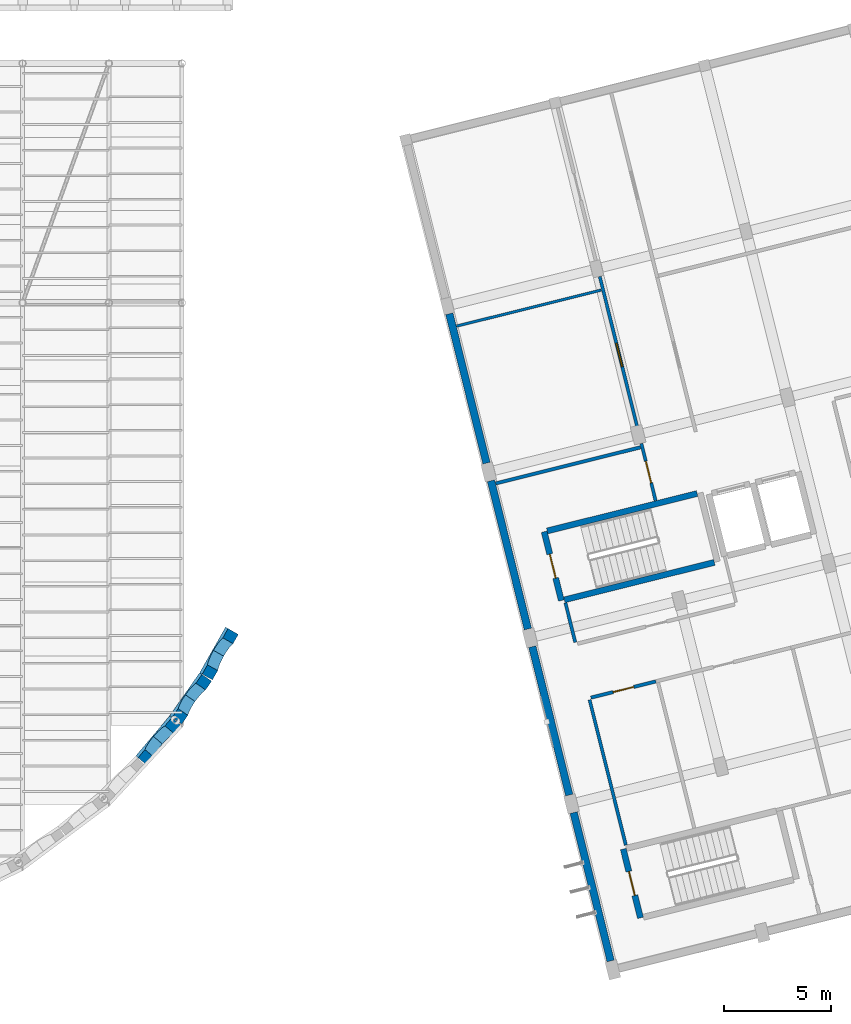
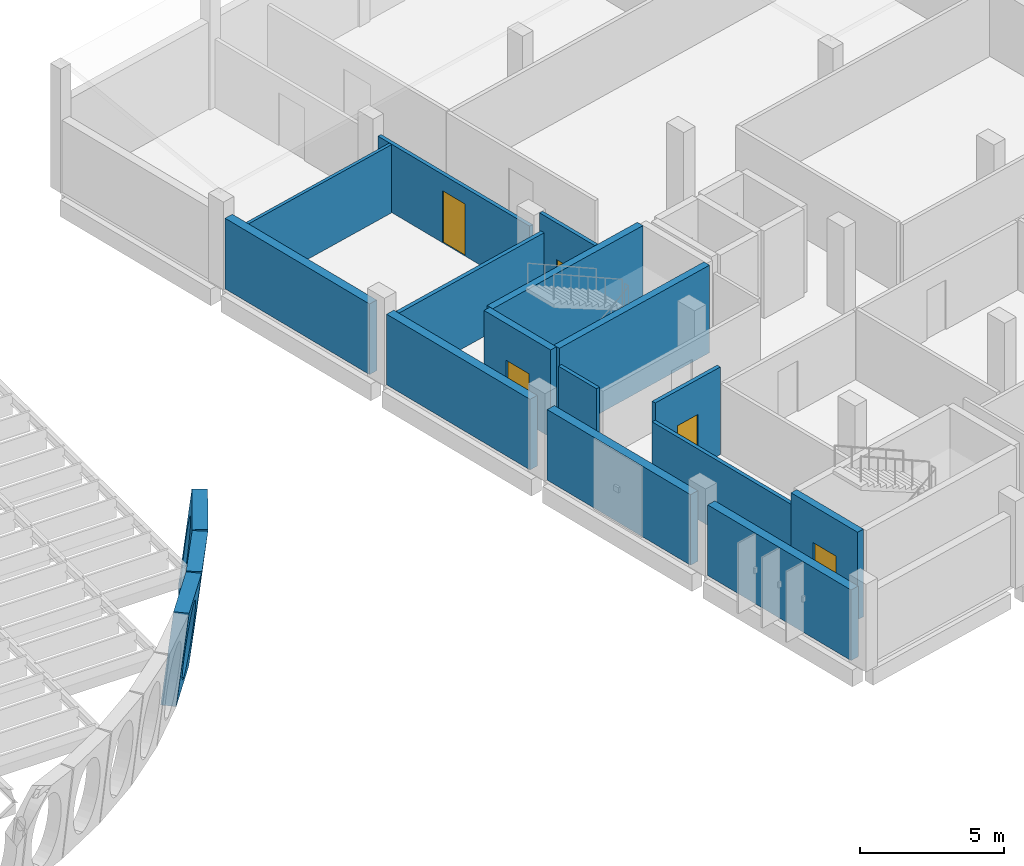
# One storey, part 28 of 47: 18 walls, 5 doors, 8 openings.
"""IFC4 building model written with IfcOpenShell, lengths in metres."""

from ifc_helpers import new_model, si_unit, direction, frame, frame_2d, origin, place, context, subcontext, project, spatial, polyline, rectangle, outline, extrude, material, layer, layer_set, type_object, element, fill, save


model = new_model("IFC4")

# Units and contexts
model_context = context("Model", 3, precision=1e-05, world=origin(), true_north=direction((0.0, 1.0)))
body_context = subcontext(model_context, "Body", "Model", "MODEL_VIEW")
ifc_project = project(units=[si_unit("LENGTHUNIT", "METRE"), si_unit("AREAUNIT", "SQUARE_METRE"), si_unit("VOLUMEUNIT", "CUBIC_METRE"), si_unit("PLANEANGLEUNIT", "RADIAN"), si_unit("MASSUNIT", "GRAM", prefix="KILO")], contexts=[model_context])

# Site, building, storey
site_placement = place(None, origin())
site = spatial("IfcSite", under=ifc_project, at=site_placement, CompositionType="ELEMENT")
building_placement = place(site_placement, origin())
building = spatial("IfcBuilding", under=site, at=building_placement, Name="Mawjan Specialist Oncology Clinic", CompositionType="ELEMENT")
storey_placement = place(building_placement, frame((0.0, 0.0, 9.5)))
storey = spatial("IfcBuildingStorey", under=building, at=storey_placement, Name="L02", CompositionType="ELEMENT", Elevation=9.5)

# Walls
ifc_material_1 = material(Name="Precast concrete C40/50", Category="concrete")
ifc_layer_1 = layer(ifc_material_1, 0.35009765625, Name="Precast concrete C40/50", Category="concrete")
ifc_layer_set_1 = layer_set([ifc_layer_1], Name="Precast concrete C40/50")
wall_type_1 = type_object("IfcWallType", Name="EW-350", PredefinedType="SOLIDWALL", material=ifc_layer_set_1)
for number, where, z_axis, x_axis, name in (
    (1, (125.897216796875, 1.21240234375, 0.0), (0.0, 0.0, 1.0), (-0.241924964772, 0.97029496104, 0.0), "L02 Coral-Limestone Exterior Wall EW-L02-159"),
    (2, (123.9619140625, 8.974853515625, 0.0), (0.0, 0.0, 1.0), (-0.241924964772, 0.97029496104, 0.0), "L02 Coral-Limestone Exterior Wall EW-L02-160"),
):
    element("IfcWall", number, at=place(storey_placement, frame(where, z_axis=z_axis, x_axis=x_axis)), inside=storey, type_object=wall_type_1, Name=name, PredefinedType="SOLIDWALL", context=body_context, shape_type="SweptSolid", body=[
        extrude(rectangle(XDim=7.14990234375, YDim=0.35009765625, at=frame_2d((3.574951171875, 0.0))), origin(), (0.0, 0.0, 1.0), 2.985107421875),
    ])
wall_1_placement = place(storey_placement, frame((122.0263671875, 16.737060546875, 0.0), z_axis=(0.0, 0.0, 1.0), x_axis=(-0.241916949628, 0.970296959432, 0.0)))
element("IfcWall", 3, at=wall_1_placement, inside=storey, type_object=wall_type_1, Name="L02 Coral-Limestone Exterior Wall EW-L02-161", PredefinedType="SOLIDWALL", context=body_context, shape_type="SweptSolid", body=[
    extrude(rectangle(XDim=7.150146484375, YDim=0.35009765625, at=frame_2d((3.5751953125, 0.0))), origin(), (0.0, 0.0, 1.0), 2.985107421875),
])
wall_2_placement = place(storey_placement, frame((120.091064453125, 24.49951171875, 0.0), z_axis=(0.0, 0.0, 1.0), x_axis=(-0.241937193493, 0.970291911955, 0.0)))
element("IfcWall", 4, at=wall_2_placement, inside=storey, type_object=wall_type_1, Name="L02 Coral-Limestone Exterior Wall EW-L02-162", PredefinedType="SOLIDWALL", context=body_context, shape_type="SweptSolid", body=[
    extrude(rectangle(XDim=7.199951171875, YDim=0.35009765625, at=frame_2d((3.60009765625, 0.0))), origin(), (0.0, 0.0, 1.0), 2.985107421875),
])

# Wall, opening
ifc_material_2 = material(Name="Concrete C45/55", Category="concrete")
ifc_layer_2 = layer(ifc_material_2, 0.550048828125, Name="Concrete C45/55", Category="concrete")
ifc_layer_set_2 = layer_set([ifc_layer_2], Name="Concrete C45/55")
wall_type_2 = type_object("IfcWallType", Name="EW-ARC550", PredefinedType="SOLIDWALL", material=ifc_layer_set_2)
wall_3_placement = place(storey_placement, frame((105.476318359375, 12.501708984375, 0.0), z_axis=(0.0, 0.0, 1.0), x_axis=(-0.644476216482, -0.764624356392, 0.0)))
wall_3 = element("IfcWall", 5, at=wall_3_placement, inside=storey, type_object=wall_type_2, Name="Curved Stone-Arc Wall L02 Chord 22", PredefinedType="SOLIDWALL", context=body_context, shape_type="SweptSolid", body=[
    extrude(outline(polyline([(-0.27490234375, 0.0), (0.27490234375, 0.0), (0.73095703125, 4.0), (0.1806640625, 4.0), (-0.27490234375, 0.0)])), frame((0.0, 0.0, 0.0), z_axis=(1.0, 0.0, 0.0), x_axis=(0.0, 1.0, 0.0)), (0.0, 0.0, 1.0), 2.45068359375),
])
opening_1_placement = place(wall_3_placement, origin())
element("IfcOpeningElement", 6, at=opening_1_placement, cuts=wall_3, Name="Elliptical sky opening 1", PredefinedType="OPENING", context=body_context, shape_type="SweptSolid", body=[
    extrude(outline(polyline([(2.065185546875, 2.0), (2.049072265625, 2.315185546875), (2.00146484375, 2.618408203125), (1.923828125, 2.897705078125), (1.8193359375, 3.142578125), (1.69189453125, 3.343505859375), (1.546875, 3.492919921875), (1.38916015625, 3.5849609375), (1.225341796875, 3.615966796875), (1.0615234375, 3.5849609375), (0.90380859375, 3.492919921875), (0.758544921875, 3.343505859375), (0.63134765625, 3.142578125), (0.52685546875, 2.897705078125), (0.44921875, 2.618408203125), (0.4013671875, 2.315185546875), (0.38525390625, 2.0), (0.4013671875, 1.684814453125), (0.44921875, 1.381591796875), (0.52685546875, 1.102294921875), (0.63134765625, 0.857421875), (0.758544921875, 0.656494140625), (0.90380859375, 0.507080078125), (1.0615234375, 0.4150390625), (1.225341796875, 0.384033203125), (1.38916015625, 0.4150390625), (1.546875, 0.507080078125), (1.69189453125, 0.656494140625), (1.8193359375, 0.857421875), (1.923828125, 1.102294921875), (2.00146484375, 1.381591796875), (2.049072265625, 1.684814453125), (2.065185546875, 2.0)])), frame((0.0, 0.750732421875, 0.0), z_axis=(0.0, -1.0, 0.0), x_axis=(1.0, 0.0, 0.0)), (0.0, 0.0, 1.0), 1.0458984375),
])

wall_4_placement = place(storey_placement, frame((106.895751953125, 14.5361328125, 0.0), z_axis=(0.0, 0.0, 1.0), x_axis=(-0.571823138595, -0.820376924448, 0.0)))
wall_4 = element("IfcWall", 7, at=wall_4_placement, inside=storey, type_object=wall_type_2, Name="Curved Stone-Arc Wall L02 Chord 23", PredefinedType="SOLIDWALL", context=body_context, shape_type="SweptSolid", body=[
    extrude(outline(polyline([(-0.27490234375, 0.0), (0.27490234375, 0.0), (0.73095703125, 4.0), (0.1806640625, 4.0), (-0.27490234375, 0.0)])), frame((0.0, 0.0, 0.0), z_axis=(1.0, 0.0, 0.0), x_axis=(0.0, 1.0, 0.0)), (0.0, 0.0, 1.0), 2.45068359375),
])
opening_2_placement = place(wall_4_placement, origin())
element("IfcOpeningElement", 8, at=opening_2_placement, cuts=wall_4, Name="Elliptical sky opening 1", PredefinedType="OPENING", context=body_context, shape_type="SweptSolid", body=[
    extrude(outline(polyline([(2.065185546875, 2.0), (2.049072265625, 2.315185546875), (2.00146484375, 2.618408203125), (1.923828125, 2.897705078125), (1.8193359375, 3.142578125), (1.69189453125, 3.343505859375), (1.546875, 3.492919921875), (1.38916015625, 3.5849609375), (1.225341796875, 3.615966796875), (1.0615234375, 3.5849609375), (0.90380859375, 3.492919921875), (0.758544921875, 3.343505859375), (0.63134765625, 3.142578125), (0.52685546875, 2.897705078125), (0.44921875, 2.618408203125), (0.4013671875, 2.315185546875), (0.38525390625, 2.0), (0.4013671875, 1.684814453125), (0.44921875, 1.381591796875), (0.52685546875, 1.102294921875), (0.63134765625, 0.857421875), (0.758544921875, 0.656494140625), (0.90380859375, 0.507080078125), (1.0615234375, 0.4150390625), (1.225341796875, 0.384033203125), (1.38916015625, 0.4150390625), (1.546875, 0.507080078125), (1.69189453125, 0.656494140625), (1.8193359375, 0.857421875), (1.923828125, 1.102294921875), (2.00146484375, 1.381591796875), (2.049072265625, 1.684814453125), (2.065185546875, 2.0)])), frame((0.0, 0.750732421875, 0.0), z_axis=(0.0, -1.0, 0.0), x_axis=(1.0, 0.0, 0.0)), (0.0, 0.0, 1.0), 1.0458984375),
])

wall_5_placement = place(storey_placement, frame((108.123291015625, 16.69189453125, 0.0), z_axis=(0.0, 0.0, 1.0), x_axis=(-0.494314032963, -0.869283404199, 0.0)))
wall_5 = element("IfcWall", 9, at=wall_5_placement, inside=storey, type_object=wall_type_2, Name="Curved Stone-Arc Wall L02 Chord 24", PredefinedType="SOLIDWALL", context=body_context, shape_type="SweptSolid", body=[
    extrude(outline(polyline([(-0.27490234375, 0.0), (0.27490234375, 0.0), (0.73095703125, 4.0), (0.1806640625, 4.0), (-0.27490234375, 0.0)])), frame((0.0, 0.0, 0.0), z_axis=(1.0, 0.0, 0.0), x_axis=(0.0, 1.0, 0.0)), (0.0, 0.0, 1.0), 2.45068359375),
])
opening_3_placement = place(wall_5_placement, origin())
element("IfcOpeningElement", 10, at=opening_3_placement, cuts=wall_5, Name="Elliptical sky opening 1", PredefinedType="OPENING", context=body_context, shape_type="SweptSolid", body=[
    extrude(outline(polyline([(2.065185546875, 2.0), (2.049072265625, 2.315185546875), (2.00146484375, 2.618408203125), (1.923828125, 2.897705078125), (1.8193359375, 3.142578125), (1.69189453125, 3.343505859375), (1.546875, 3.492919921875), (1.38916015625, 3.5849609375), (1.225341796875, 3.615966796875), (1.0615234375, 3.5849609375), (0.90380859375, 3.492919921875), (0.758544921875, 3.343505859375), (0.63134765625, 3.142578125), (0.52685546875, 2.897705078125), (0.44921875, 2.618408203125), (0.4013671875, 2.315185546875), (0.38525390625, 2.0), (0.4013671875, 1.684814453125), (0.44921875, 1.381591796875), (0.52685546875, 1.102294921875), (0.63134765625, 0.857421875), (0.758544921875, 0.656494140625), (0.90380859375, 0.507080078125), (1.0615234375, 0.4150390625), (1.225341796875, 0.384033203125), (1.38916015625, 0.4150390625), (1.546875, 0.507080078125), (1.69189453125, 0.656494140625), (1.8193359375, 0.857421875), (1.923828125, 1.102294921875), (2.00146484375, 1.381591796875), (2.049072265625, 1.684814453125), (2.065185546875, 2.0)])), frame((0.0, 0.750732421875, 0.0), z_axis=(0.0, -1.0, 0.0), x_axis=(1.0, 0.0, 0.0)), (0.0, 0.0, 1.0), 1.0458984375),
])

# Walls
ifc_material_3 = material(Name="Concrete C45/55", Category="concrete")
ifc_layer_3 = layer(ifc_material_3, 0.280029296875, Name="Concrete C45/55", Category="concrete")
ifc_layer_set_3 = layer_set([ifc_layer_3], Name="Concrete C45/55")
wall_type_3 = type_object("IfcWallType", Name="SW-300", PredefinedType="SHEAR", material=ifc_layer_set_3)
for number, where, z_axis, x_axis, name in (
    (11, (123.731201171875, 18.105224609375, 0.0), (0.0, 0.0, 1.0), (0.970297238923, 0.241915828623, 0.0), "L02 Core K5 Stair Shear Wall 1"),
    (12, (129.943115234375, 23.07568359375, 0.0), (0.0, 0.0, 1.0), (-0.970289312034, -0.241947620266, 0.0), "L02 Core K5 Stair Shear Wall 3"),
):
    element("IfcWall", number, at=place(storey_placement, frame(where, z_axis=z_axis, x_axis=x_axis)), inside=storey, type_object=wall_type_3, Name=name, PredefinedType="SHEAR", context=body_context, shape_type="SweptSolid", body=[
        extrude(rectangle(XDim=7.22998046875, YDim=0.280029296875, at=frame_2d((3.614990234375, 0.0))), origin(), (0.0, 0.0, 1.0), 3.699951171875),
    ])

# Wall, opening, door
wall_6_placement = place(storey_placement, frame((122.787353515625, 21.29150390625, 0.0), z_axis=(0.0, 0.0, 1.0), x_axis=(0.241860763027, -0.970310966293, 0.0)))
wall_6 = element("IfcWall", 13, at=wall_6_placement, inside=storey, type_object=wall_type_3, Name="L02 Core K5 Stair Shear Wall 4", PredefinedType="SHEAR", context=body_context, shape_type="SweptSolid", body=[
    extrude(rectangle(XDim=3.320068359375, YDim=0.280029296875, at=frame_2d((1.66015625, 0.0))), origin(), (0.0, 0.0, 1.0), 3.699951171875),
])
opening_4_placement = place(wall_6_placement, frame((1.0849609375, 0.0, 0.0)))
opening_4 = element("IfcOpeningElement", 14, at=opening_4_placement, cuts=wall_6, Name="Opening FD-90", PredefinedType="OPENING", context=body_context, shape_type="SweptSolid", body=[
    extrude(rectangle(XDim=1.14990234375, YDim=2.14990234375, at=frame_2d((0.574951171875, 1.074951171875))), frame((0.0, 0.152099609375, 0.0), z_axis=(0.0, -1.0, 0.0), x_axis=(1.0, 0.0, 0.0)), (0.0, 0.0, 1.0), 0.303955078125),
])
ifc_material_4 = material(Name="Stainless-steel fire-rated hospital door", Category="steel")
door_type_1 = type_object("IfcDoorType", Name="FD-90", OperationType="NOTDEFINED", PredefinedType="DOOR", material=ifc_material_4)
door_1_placement = place(opening_4_placement, origin())
door_1 = element("IfcDoor", 15, at=door_1_placement, inside=storey, type_object=door_type_1, Name="L02 ST-05 Fire Exit Stair Door", OperationType="SINGLE_SWING_LEFT", OverallHeight=2.14990234375, OverallWidth=1.14990234375, PredefinedType="DOOR", context=body_context, shape_type="SweptSolid", body=[
    extrude(rectangle(XDim=1.14990234375, YDim=2.14990234375, at=frame_2d((0.574951171875, 1.074951171875))), frame((0.0, 0.02490234375, 0.0), z_axis=(0.0, -1.0, 0.0), x_axis=(1.0, 0.0, 0.0)), (0.0, 0.0, 1.0), 0.050048828125),
])
fill(opening_4, door_1)

wall_7_placement = place(storey_placement, frame((126.488525390625, 6.44580078125, 0.0), z_axis=(0.0, 0.0, 1.0), x_axis=(0.241947258837, -0.970289402158, 0.0)))
wall_7 = element("IfcWall", 16, at=wall_7_placement, inside=storey, type_object=wall_type_3, Name="L02 Core K6 Stair Shear Wall 4", PredefinedType="SHEAR", context=body_context, shape_type="SweptSolid", body=[
    extrude(rectangle(XDim=3.31982421875, YDim=0.280029296875, at=frame_2d((1.659912109375, 0.0))), origin(), (0.0, 0.0, 1.0), 3.699951171875),
])
opening_5_placement = place(wall_7_placement, frame((1.0849609375, 0.0, 0.0)))
opening_5 = element("IfcOpeningElement", 17, at=opening_5_placement, cuts=wall_7, Name="Opening FD-90", PredefinedType="OPENING", context=body_context, shape_type="SweptSolid", body=[
    extrude(rectangle(XDim=1.14990234375, YDim=2.14990234375, at=frame_2d((0.574951171875, 1.074951171875))), frame((0.0, 0.152099609375, 0.0), z_axis=(0.0, -1.0, 0.0), x_axis=(1.0, 0.0, 0.0)), (0.0, 0.0, 1.0), 0.303955078125),
])
door_2_placement = place(opening_5_placement, origin())
door_2 = element("IfcDoor", 18, at=door_2_placement, inside=storey, type_object=door_type_1, Name="L02 ST-06 Fire Exit Stair Door", OperationType="SINGLE_SWING_LEFT", OverallHeight=2.14990234375, OverallWidth=1.14990234375, PredefinedType="DOOR", context=body_context, shape_type="SweptSolid", body=[
    extrude(rectangle(XDim=1.14990234375, YDim=2.14990234375, at=frame_2d((0.574951171875, 1.074951171875))), frame((0.0, 0.02490234375, 0.0), z_axis=(0.0, -1.0, 0.0), x_axis=(1.0, 0.0, 0.0)), (0.0, 0.0, 1.0), 0.050048828125),
])
fill(opening_5, door_2)

# Wall
ifc_material_5 = material(Name="Moisture-resistant washroom partition", Category="gypsum")
ifc_layer_4 = layer(ifc_material_5, 0.125, Name="Moisture-resistant washroom partition", Category="gypsum")
ifc_layer_set_4 = layer_set([ifc_layer_4], Name="Moisture-resistant washroom partition")
wall_type_4 = type_object("IfcWallType", Name="WP-125", PredefinedType="PARTITIONING", material=ifc_layer_set_4)
wall_8_placement = place(storey_placement, frame((118.6865234375, 30.90576171875, 0.0), z_axis=(0.0, 0.0, 1.0), x_axis=(0.970292595263, 0.241934453059, 0.0)))
element("IfcWall", 19, at=wall_8_placement, inside=storey, type_object=wall_type_4, Name="L02 Interior Partition W-RINT-L02-RNW1-N", PredefinedType="PARTITIONING", context=body_context, shape_type="SweptSolid", body=[
    extrude(rectangle(XDim=6.97607421875, YDim=0.125, at=frame_2d((3.488037109375, 0.0))), origin(), (0.0, 0.0, 1.0), 2.885009765625),
])

# Wall, opening, door
ifc_material_6 = material(Name="Acoustic gypsum clinical partition", Category="gypsum")
ifc_layer_5 = layer(ifc_material_6, 0.14990234375, Name="Acoustic gypsum clinical partition", Category="gypsum")
ifc_layer_set_5 = layer_set([ifc_layer_5], Name="Acoustic gypsum clinical partition")
wall_type_5 = type_object("IfcWallType", Name="WP-150", PredefinedType="PARTITIONING", material=ifc_layer_set_5)
wall_9_placement = place(storey_placement, frame((127.999755859375, 22.747802734375, 0.0), z_axis=(0.0, 0.0, 1.0), x_axis=(-0.241929995817, 0.970293706629, 0.0)))
wall_9 = element("IfcWall", 20, at=wall_9_placement, inside=storey, type_object=wall_type_5, Name="L02 Interior Partition W-RINT-L02-RWN-E", PredefinedType="PARTITIONING", context=body_context, shape_type="SweptSolid", body=[
    extrude(rectangle(XDim=2.7509765625, YDim=0.14990234375, at=frame_2d((1.37548828125, 0.0))), origin(), (0.0, 0.0, 1.0), 3.699951171875),
])
opening_6_placement = place(wall_9_placement, frame((0.8505859375, 0.0, 0.0)))
opening_6 = element("IfcOpeningElement", 21, at=opening_6_placement, cuts=wall_9, Name="Opening DI-105", PredefinedType="OPENING", context=body_context, shape_type="SweptSolid", body=[
    extrude(rectangle(XDim=1.050048828125, YDim=2.14990234375, at=frame_2d((0.52490234375, 1.074951171875))), frame((0.0, 0.0869140625, 0.0), z_axis=(0.0, -1.0, 0.0), x_axis=(1.0, 0.0, 0.0)), (0.0, 0.0, 1.0), 0.173828125),
])
ifc_material_7 = material(Name="Acoustic laminate hospital door leaf", Category="wood")
door_type_2 = type_object("IfcDoorType", Name="DI-105", OperationType="NOTDEFINED", PredefinedType="DOOR", material=ifc_material_7)
door_3_placement = place(opening_6_placement, origin())
door_3 = element("IfcDoor", 22, at=door_3_placement, inside=storey, type_object=door_type_2, Name="L02 Computational Oncology Laboratory Door", OperationType="SINGLE_SWING_LEFT", OverallHeight=2.14990234375, OverallWidth=1.050048828125, PredefinedType="DOOR", context=body_context, shape_type="SweptSolid", body=[
    extrude(rectangle(XDim=1.050048828125, YDim=2.14990234375, at=frame_2d((0.52490234375, 1.074951171875))), frame((0.0, 0.02490234375, 0.0), z_axis=(0.0, -1.0, 0.0), x_axis=(1.0, 0.0, 0.0)), (0.0, 0.0, 1.0), 0.050048828125),
])
fill(opening_6, door_3)

wall_10_placement = place(storey_placement, frame((127.21533203125, 25.894287109375, 0.0), z_axis=(0.0, 0.0, 1.0), x_axis=(-0.241942741181, 0.970290528651, 0.0)))
wall_10 = element("IfcWall", 23, at=wall_10_placement, inside=storey, type_object=wall_type_5, Name="L02 Interior Partition W-RINT-L02-RNW1-E", PredefinedType="PARTITIONING", context=body_context, shape_type="SweptSolid", body=[
    extrude(rectangle(XDim=7.55810546875, YDim=0.14990234375, at=frame_2d((3.779052734375, 0.0))), origin(), (0.0, 0.0, 1.0), 2.885009765625),
])
opening_7_placement = place(wall_10_placement, frame((3.218994140625, 0.0, 0.0)))
opening_7 = element("IfcOpeningElement", 24, at=opening_7_placement, cuts=wall_10, Name="Opening DI-112", PredefinedType="OPENING", context=body_context, shape_type="SweptSolid", body=[
    extrude(rectangle(XDim=1.1201171875, YDim=2.199951171875, at=frame_2d((0.56005859375, 1.10009765625))), frame((0.0, 0.0869140625, 0.0), z_axis=(0.0, -1.0, 0.0), x_axis=(1.0, 0.0, 0.0)), (0.0, 0.0, 1.0), 0.173828125),
])
ifc_material_8 = material(Name="Acoustic laminate hospital door leaf", Category="wood")
door_type_3 = type_object("IfcDoorType", Name="DI-112", OperationType="NOTDEFINED", PredefinedType="DOOR", material=ifc_material_8)
door_4_placement = place(opening_7_placement, origin())
door_4 = element("IfcDoor", 25, at=door_4_placement, inside=storey, type_object=door_type_3, Name="L02 Cancer Genomics Dry Laboratory Door", OperationType="SINGLE_SWING_LEFT", OverallHeight=2.199951171875, OverallWidth=1.1201171875, PredefinedType="DOOR", context=body_context, shape_type="SweptSolid", body=[
    extrude(rectangle(XDim=1.1201171875, YDim=2.199951171875, at=frame_2d((0.56005859375, 1.10009765625))), frame((0.0, 0.02490234375, 0.0), z_axis=(0.0, -1.0, 0.0), x_axis=(1.0, 0.0, 0.0)), (0.0, 0.0, 1.0), 0.050048828125),
])
fill(opening_7, door_4)

# Walls
wall_11_placement = place(storey_placement, frame((124.242919921875, 16.11474609375, 0.0), z_axis=(0.0, 0.0, 1.0), x_axis=(-0.241962034071, 0.970285717749, 0.0)))
element("IfcWall", 26, at=wall_11_placement, inside=storey, type_object=wall_type_5, Name="L02 Interior Partition W-RINT-L02-RKS-W", PredefinedType="PARTITIONING", context=body_context, shape_type="SweptSolid", body=[
    extrude(rectangle(XDim=1.903076171875, YDim=0.14990234375, at=frame_2d((0.95166015625, 0.0))), origin(), (0.0, 0.0, 1.0), 2.985107421875),
])
wall_12_placement = place(storey_placement, frame((126.607177734375, 6.632080078125, 0.0), z_axis=(0.0, 0.0, 1.0), x_axis=(-0.241944970231, 0.970289972833, 0.0)))
element("IfcWall", 27, at=wall_12_placement, inside=storey, type_object=wall_type_5, Name="L02 Interior Partition W-RINT-L02-RAS1-W", PredefinedType="PARTITIONING", context=body_context, shape_type="SweptSolid", body=[
    extrude(rectangle(XDim=7.0029296875, YDim=0.14990234375, at=frame_2d((3.50146484375, 0.0))), origin(), (0.0, 0.0, 1.0), 2.985107421875),
])

# Wall, opening, door
ifc_material_9 = material(Name="Acoustic clinical twin-stud partition", Category="gypsum")
ifc_layer_6 = layer(ifc_material_9, 0.159912109375, Name="Acoustic clinical twin-stud partition", Category="gypsum")
ifc_layer_set_6 = layer_set([ifc_layer_6], Name="Acoustic clinical twin-stud partition")
wall_type_6 = type_object("IfcWallType", Name="WP-160", PredefinedType="PARTITIONING", material=ifc_layer_set_6)
wall_13_placement = place(storey_placement, frame((124.974853515625, 13.530029296875, 0.0), z_axis=(0.0, 0.0, 1.0), x_axis=(0.970289141252, 0.241948305158, 0.0)))
wall_13 = element("IfcWall", 28, at=wall_13_placement, inside=storey, type_object=wall_type_6, Name="L02 Interior Partition W-RINT-L02-RAS1-N", PredefinedType="PARTITIONING", context=body_context, shape_type="SweptSolid", body=[
    extrude(rectangle(XDim=3.130126953125, YDim=0.159912109375, at=frame_2d((1.56494140625, 0.0))), origin(), (0.0, 0.0, 1.0), 3.699951171875),
])
opening_8_placement = place(wall_13_placement, frame((1.06494140625, 0.0, 0.0)))
opening_8 = element("IfcOpeningElement", 29, at=opening_8_placement, cuts=wall_13, Name="Opening DA-100", PredefinedType="OPENING", context=body_context, shape_type="SweptSolid", body=[
    extrude(rectangle(XDim=1.0, YDim=2.219970703125, at=frame_2d((0.5, 1.10986328125))), frame((0.0, 0.092041015625, 0.0), z_axis=(0.0, -1.0, 0.0), x_axis=(1.0, 0.0, 0.0)), (0.0, 0.0, 1.0), 0.183837890625),
])
ifc_material_10 = material(Name="Acoustic laminate hospital door leaf", Category="wood")
door_type_4 = type_object("IfcDoorType", Name="DA-100", OperationType="NOTDEFINED", PredefinedType="DOOR", material=ifc_material_10)
door_5_placement = place(opening_8_placement, origin())
door_5 = element("IfcDoor", 30, at=door_5_placement, inside=storey, type_object=door_type_4, Name="L02 Accessible Toilet Door", OperationType="SINGLE_SWING_RIGHT", OverallHeight=2.219970703125, OverallWidth=1.0, PredefinedType="DOOR", context=body_context, shape_type="SweptSolid", body=[
    extrude(rectangle(XDim=1.0, YDim=2.219970703125, at=frame_2d((0.5, 1.10986328125))), frame((0.0, 0.02490234375, 0.0), z_axis=(0.0, -1.0, 0.0), x_axis=(1.0, 0.0, 0.0)), (0.0, 0.0, 1.0), 0.050048828125),
])
fill(opening_8, door_5)

# Wall
wall_14_placement = place(storey_placement, frame((120.5205078125, 23.550048828125, 0.0), z_axis=(0.0, 0.0, 1.0), x_axis=(0.970292595263, 0.241934453059, 0.0)))
element("IfcWall", 31, at=wall_14_placement, inside=storey, type_object=wall_type_6, Name="L02 Interior Partition W-RINT-L02-RWN-N", PredefinedType="PARTITIONING", context=body_context, shape_type="SweptSolid", body=[
    extrude(rectangle(XDim=6.97607421875, YDim=0.159912109375, at=frame_2d((3.488037109375, 0.0))), origin(), (0.0, 0.0, 1.0), 2.985107421875),
])

save(model, "model.ifc")
